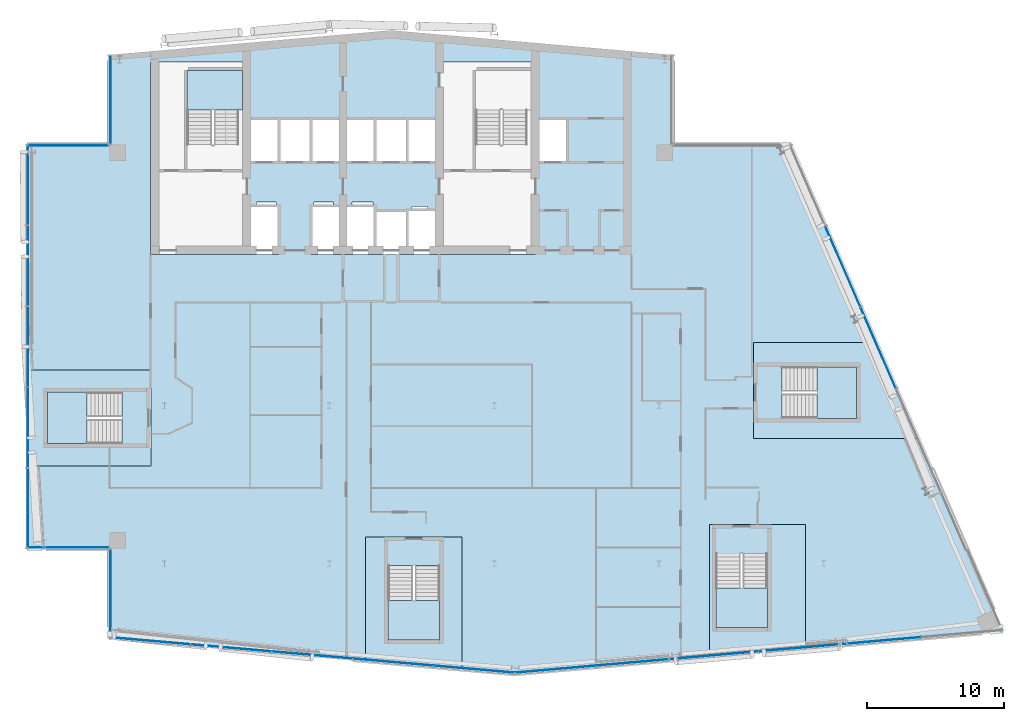
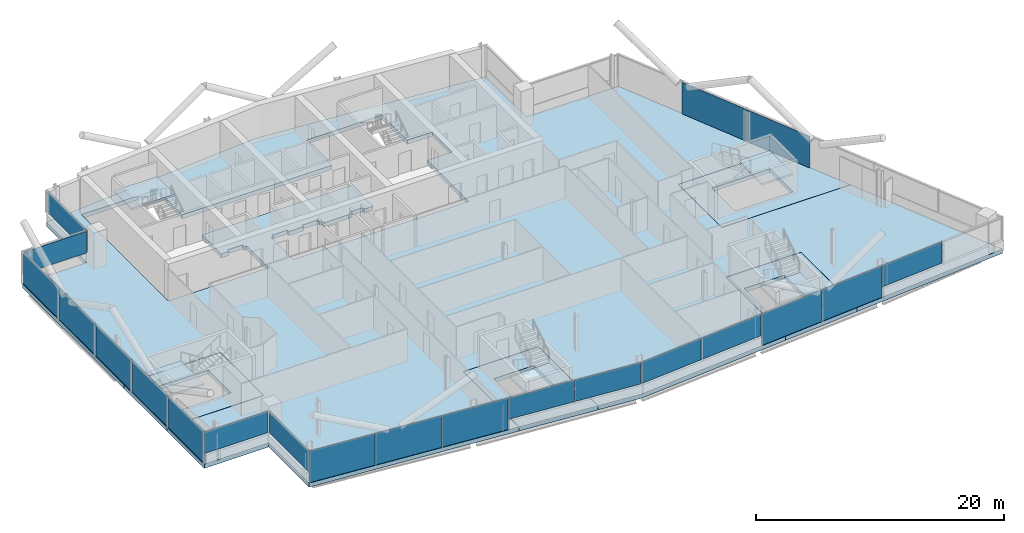
# One storey, part 13 of 27: 21 plates, 10 slabs, 13 elements without a shape of their own.
"""IFC4 building model written with IfcOpenShell, lengths in metres."""

from ifc_helpers import new_model, si_unit, direction, frame, origin, origin_2d, place, context, subcontext, project, spatial, polyline, rectangle, outline, extrude, material, layer, layer_set, type_object, element, aggregate, save


model = new_model("IFC4")

# Units and contexts
model_context = context("Model", 3, precision=1e-05, world=origin(), true_north=direction((0.0, 1.0)))
body_context = subcontext(model_context, "Body", "Model", "MODEL_VIEW")
ifc_project = project(units=[si_unit("LENGTHUNIT", "METRE"), si_unit("AREAUNIT", "SQUARE_METRE"), si_unit("VOLUMEUNIT", "CUBIC_METRE"), si_unit("PLANEANGLEUNIT", "RADIAN"), si_unit("MASSUNIT", "GRAM", prefix="KILO")], contexts=[model_context])

# Site, building, storey
site_placement = place(None, origin())
site = spatial("IfcSite", under=ifc_project, at=site_placement, CompositionType="ELEMENT")
building_placement = place(site_placement, origin())
building = spatial("IfcBuilding", under=site, at=building_placement, Name="Wharfspan Tower", CompositionType="ELEMENT")
storey_placement = place(building_placement, frame((0.0, 0.0, 221.5)))
storey = spatial("IfcBuildingStorey", under=building, at=storey_placement, Name="L55", CompositionType="ELEMENT", Elevation=221.5)

# Curtain wall, plates
ifc_material_1 = material(Name="Aluminium 6063-T6", Category="aluminium")
curtain_wall_type_1 = type_object("IfcCurtainWallType", Name="CURTAIN WALL FACETED FRONT", PredefinedType="NOTDEFINED", material=ifc_material_1)
curtain_wall_1_placement = place(storey_placement, origin())
curtain_wall_1 = element("IfcCurtainWall", 1, at=curtain_wall_1_placement, inside=storey, type_object=curtain_wall_type_1, Name="Curtain wall S1", PredefinedType="NOTDEFINED")
ifc_material_2 = material(Name="Glass clear low-iron double glazing", Category="glass")
ifc_layer_1 = layer(ifc_material_2, 0.040039)
ifc_layer_set_1 = layer_set([ifc_layer_1], Name="Glass clear low-iron double glazing")
plate_type_1 = type_object("IfcPlateType", Name="GLASS PANEL FACETED FRONT 40", PredefinedType="CURTAIN_PANEL", material=ifc_layer_set_1)
plate_1_placement = place(storey_placement, frame((40.655273, 4.328125, 1.0), z_axis=(0.0, 0.0, 1.0), x_axis=(0.996197, -0.087156, 0.0)))
plate_1 = element("IfcPlate", 2, at=plate_1_placement, type_object=plate_type_1, Name="Curtain wall S1 panel 4", PredefinedType="CURTAIN_PANEL", context=body_context, shape_type="SweptSolid", body=[
    extrude(rectangle(XDim=5.862549, YDim=0.040039, at=origin_2d()), origin(), (0.0, 0.0, 1.0), 2.120117),
])
plate_2_placement = place(storey_placement, frame((46.540283, 3.813232, 1.0), z_axis=(0.0, 0.0, 1.0), x_axis=(0.996197, -0.087156, 0.0)))
plate_2 = element("IfcPlate", 3, at=plate_2_placement, type_object=plate_type_1, Name="Curtain wall S1 panel 5", PredefinedType="CURTAIN_PANEL", context=body_context, shape_type="SweptSolid", body=[
    extrude(rectangle(XDim=5.83252, YDim=0.040039, at=origin_2d()), origin(), (0.0, 0.0, 1.0), 2.120117),
])

curtain_wall_2_placement = place(storey_placement, origin())
curtain_wall_2 = element("IfcCurtainWall", 4, at=curtain_wall_2_placement, inside=storey, type_object=curtain_wall_type_1, Name="Curtain wall S2", PredefinedType="NOTDEFINED")
plate_3_placement = place(storey_placement, frame((52.468018, 3.813965, 1.0), z_axis=(0.0, 0.0, 1.0), x_axis=(0.996197, 0.087156, 0.0)))
plate_3 = element("IfcPlate", 5, at=plate_3_placement, type_object=plate_type_1, Name="Curtain wall S2 panel 1", PredefinedType="CURTAIN_PANEL", context=body_context, shape_type="SweptSolid", body=[
    extrude(rectangle(XDim=5.849365, YDim=0.040039, at=origin_2d()), origin(), (0.0, 0.0, 1.0), 2.120117),
])
plate_4_placement = place(storey_placement, frame((58.369873, 4.330322, 1.0), z_axis=(0.0, 0.0, 1.0), x_axis=(0.996197, 0.087156, 0.0)))
plate_4 = element("IfcPlate", 6, at=plate_4_placement, type_object=plate_type_1, Name="Curtain wall S2 panel 2", PredefinedType="CURTAIN_PANEL", context=body_context, shape_type="SweptSolid", body=[
    extrude(rectangle(XDim=5.87915, YDim=0.040039, at=origin_2d()), origin(), (0.0, 0.0, 1.0), 2.120117),
])
plate_5_placement = place(storey_placement, frame((76.119873, 5.883301, 1.0), z_axis=(0.0, 0.0, 1.0), x_axis=(0.996197, 0.087156, 0.0)))
plate_5 = element("IfcPlate", 7, at=plate_5_placement, type_object=plate_type_1, Name="Curtain wall S2 panel 5", PredefinedType="CURTAIN_PANEL", context=body_context, shape_type="SweptSolid", body=[
    extrude(rectangle(XDim=5.87915, YDim=0.040039, at=origin_2d()), origin(), (0.0, 0.0, 1.0), 2.120117),
])

# Curtain wall, plate
curtain_wall_type_2 = type_object("IfcCurtainWallType", Name="CURTAIN WALL PROW AND END", PredefinedType="NOTDEFINED", material=ifc_material_1)
curtain_wall_3_placement = place(storey_placement, origin())
curtain_wall_3 = element("IfcCurtainWall", 8, at=curtain_wall_3_placement, inside=storey, type_object=curtain_wall_type_2, Name="Curtain wall NRW-V", PredefinedType="NOTDEFINED")
ifc_layer_2 = layer(ifc_material_2, 0.040039)
ifc_layer_set_2 = layer_set([ifc_layer_2], Name="Glass clear low-iron double glazing")
plate_type_2 = type_object("IfcPlateType", Name="GLASS PANEL PROW AND END 40", PredefinedType="CURTAIN_PANEL", material=ifc_layer_set_2)
plate_6_placement = place(storey_placement, frame((20.080078, 45.262451, 1.0), z_axis=(0.0, 0.0, 1.0), x_axis=(0.0, -1.0, 0.0)))
plate_6 = element("IfcPlate", 9, at=plate_6_placement, type_object=plate_type_2, Name="Curtain wall NRW-V panel 1", PredefinedType="CURTAIN_PANEL", context=body_context, shape_type="SweptSolid", body=[
    extrude(rectangle(XDim=6.405029, YDim=0.040039, at=origin_2d()), origin(), (0.0, 0.0, 1.0), 2.120117),
])
aggregate(curtain_wall_3, [plate_6])

curtain_wall_4_placement = place(storey_placement, origin())
curtain_wall_4 = element("IfcCurtainWall", 10, at=curtain_wall_4_placement, inside=storey, type_object=curtain_wall_type_2, Name="Curtain wall NRW-H", PredefinedType="NOTDEFINED")
plate_7_placement = place(storey_placement, frame((17.0, 41.919922, 1.0), z_axis=(0.0, 0.0, 1.0), x_axis=(-1.0, 0.0, 0.0)))
plate_7 = element("IfcPlate", 11, at=plate_7_placement, type_object=plate_type_2, Name="Curtain wall NRW-H panel 1", PredefinedType="CURTAIN_PANEL", context=body_context, shape_type="SweptSolid", body=[
    extrude(rectangle(XDim=5.879883, YDim=0.040039, at=origin_2d()), origin(), (0.0, 0.0, 1.0), 2.120117),
])
aggregate(curtain_wall_4, [plate_7])

curtain_wall_5_placement = place(storey_placement, origin())
curtain_wall_5 = element("IfcCurtainWall", 12, at=curtain_wall_5_placement, inside=storey, type_object=curtain_wall_type_2, Name="Curtain wall NFW-H", PredefinedType="NOTDEFINED")
plate_8_placement = place(storey_placement, frame((17.0, 12.679932, 1.0), z_axis=(0.0, 0.0, 1.0), x_axis=(1.0, 0.0, 0.0)))
plate_8 = element("IfcPlate", 13, at=plate_8_placement, type_object=plate_type_2, Name="Curtain wall NFW-H panel 1", PredefinedType="CURTAIN_PANEL", context=body_context, shape_type="SweptSolid", body=[
    extrude(rectangle(XDim=5.879883, YDim=0.040039, at=origin_2d()), origin(), (0.0, 0.0, 1.0), 2.120117),
])
aggregate(curtain_wall_5, [plate_8])

curtain_wall_6_placement = place(storey_placement, origin())
curtain_wall_6 = element("IfcCurtainWall", 14, at=curtain_wall_6_placement, inside=storey, type_object=curtain_wall_type_2, Name="Curtain wall NFW-V", PredefinedType="NOTDEFINED")
plate_9_placement = place(storey_placement, frame((20.080078, 9.337646, 1.0), z_axis=(0.0, 0.0, 1.0), x_axis=(0.0, -1.0, 0.0)))
plate_9 = element("IfcPlate", 15, at=plate_9_placement, type_object=plate_type_2, Name="Curtain wall NFW-V panel 1", PredefinedType="CURTAIN_PANEL", context=body_context, shape_type="SweptSolid", body=[
    extrude(rectangle(XDim=6.405029, YDim=0.040039, at=origin_2d()), origin(), (0.0, 0.0, 1.0), 2.120117),
])
aggregate(curtain_wall_6, [plate_9])

# Plate
ifc_material_3 = material(Name="Aluminium composite opaque insulated panel", Category="aluminium")
ifc_layer_3 = layer(ifc_material_3, 0.040039)
ifc_layer_set_3 = layer_set([ifc_layer_3], Name="Aluminium composite opaque insulated panel")
plate_type_3 = type_object("IfcPlateType", Name="INFILL PANEL FACETED FRONT OPAQUE 40", PredefinedType="SHEET", material=ifc_layer_set_3)
plate_10_placement = place(storey_placement, frame((22.970215, 5.875488, 0.0), z_axis=(0.0, 0.0, 1.0), x_axis=(0.996197, -0.087156, 0.0)))
plate_10 = element("IfcPlate", 16, at=plate_10_placement, type_object=plate_type_3, Name="Curtain wall S1 panel 1", PredefinedType="SHEET", context=body_context, shape_type="SweptSolid", body=[
    extrude(rectangle(XDim=5.83252, YDim=0.040039, at=origin_2d()), origin(), (0.0, 0.0, 1.0), 3.120117),
])

plate_11_placement = place(storey_placement, frame((28.855225, 5.360596, 0.0), z_axis=(0.0, 0.0, 1.0), x_axis=(0.996197, -0.087156, 0.0)))
plate_11 = element("IfcPlate", 17, at=plate_11_placement, type_object=plate_type_3, Name="Curtain wall S1 panel 2", PredefinedType="SHEET", context=body_context, shape_type="SweptSolid", body=[
    extrude(rectangle(XDim=5.862549, YDim=0.040039, at=origin_2d()), origin(), (0.0, 0.0, 1.0), 3.120117),
])

plate_12_placement = place(storey_placement, frame((34.755127, 4.844482, 0.0), z_axis=(0.0, 0.0, 1.0), x_axis=(0.996197, -0.087156, 0.0)))
plate_12 = element("IfcPlate", 18, at=plate_12_placement, type_object=plate_type_3, Name="Curtain wall S1 panel 3", PredefinedType="SHEET", context=body_context, shape_type="SweptSolid", body=[
    extrude(rectangle(XDim=5.862549, YDim=0.040039, at=origin_2d()), origin(), (0.0, 0.0, 1.0), 3.120117),
])

aggregate(curtain_wall_1, [plate_10, plate_11, plate_12, plate_1, plate_2])

plate_13_placement = place(storey_placement, frame((64.286377, 4.848145, 0.0), z_axis=(0.0, 0.0, 1.0), x_axis=(0.996197, 0.087156, 0.0)))
plate_13 = element("IfcPlate", 19, at=plate_13_placement, type_object=plate_type_3, Name="Curtain wall S2 panel 3", PredefinedType="SHEET", context=body_context, shape_type="SweptSolid", body=[
    extrude(rectangle(XDim=5.87915, YDim=0.040039, at=origin_2d()), origin(), (0.0, 0.0, 1.0), 3.120117),
])

plate_14_placement = place(storey_placement, frame((70.203125, 5.365723, 0.0), z_axis=(0.0, 0.0, 1.0), x_axis=(0.996197, 0.087156, 0.0)))
plate_14 = element("IfcPlate", 20, at=plate_14_placement, type_object=plate_type_3, Name="Curtain wall S2 panel 4", PredefinedType="SHEET", context=body_context, shape_type="SweptSolid", body=[
    extrude(rectangle(XDim=5.87915, YDim=0.040039, at=origin_2d()), origin(), (0.0, 0.0, 1.0), 3.120117),
])

aggregate(curtain_wall_2, [plate_3, plate_4, plate_13, plate_14, plate_5])

# Curtain wall, plates
curtain_wall_7_placement = place(storey_placement, origin())
curtain_wall_7 = element("IfcCurtainWall", 21, at=curtain_wall_7_placement, inside=storey, type_object=curtain_wall_type_2, Name="Curtain wall E", PredefinedType="NOTDEFINED")
ifc_layer_4 = layer(ifc_material_3, 0.040039)
ifc_layer_set_4 = layer_set([ifc_layer_4], Name="Aluminium composite opaque insulated panel")
plate_type_4 = type_object("IfcPlateType", Name="INFILL PANEL PROW AND END OPAQUE 40", PredefinedType="SHEET", material=ifc_layer_set_4)
plate_15_placement = place(storey_placement, frame((75.948486, 27.218018, 0.0), z_axis=(0.0, 0.0, 1.0), x_axis=(-0.398727, 0.917072, 0.0)))
plate_15 = element("IfcPlate", 22, at=plate_15_placement, type_object=plate_type_4, Name="Curtain wall E panel 4", PredefinedType="SHEET", context=body_context, shape_type="SweptSolid", body=[
    extrude(rectangle(XDim=6.373535, YDim=0.040039, at=origin_2d()), origin(), (0.0, 0.0, 1.0), 3.120117),
])
plate_16_placement = place(storey_placement, frame((73.383057, 33.118164, 0.0), z_axis=(0.0, 0.0, 1.0), x_axis=(-0.398727, 0.917072, 0.0)))
plate_16 = element("IfcPlate", 23, at=plate_16_placement, type_object=plate_type_4, Name="Curtain wall E panel 5", PredefinedType="SHEET", context=body_context, shape_type="SweptSolid", body=[
    extrude(rectangle(XDim=6.373535, YDim=0.040039, at=origin_2d()), origin(), (0.0, 0.0, 1.0), 3.120117),
])
aggregate(curtain_wall_7, [plate_15, plate_16])

curtain_wall_8_placement = place(storey_placement, origin())
curtain_wall_8 = element("IfcCurtainWall", 24, at=curtain_wall_8_placement, inside=storey, type_object=curtain_wall_type_2, Name="Curtain wall W", PredefinedType="NOTDEFINED")
plate_17_placement = place(storey_placement, frame((14.080078, 39.044922, 0.0), z_axis=(0.0, 0.0, 1.0), x_axis=(0.0, -1.0, 0.0)))
plate_17 = element("IfcPlate", 25, at=plate_17_placement, type_object=plate_type_4, Name="Curtain wall W panel 1", PredefinedType="SHEET", context=body_context, shape_type="SweptSolid", body=[
    extrude(rectangle(XDim=5.790039, YDim=0.040039, at=origin_2d()), origin(), (0.0, 0.0, 1.0), 3.120117),
])
plate_18_placement = place(storey_placement, frame((14.080078, 33.179932, 0.0), z_axis=(0.0, 0.0, 1.0), x_axis=(0.0, -1.0, 0.0)))
plate_18 = element("IfcPlate", 26, at=plate_18_placement, type_object=plate_type_4, Name="Curtain wall W panel 2", PredefinedType="SHEET", context=body_context, shape_type="SweptSolid", body=[
    extrude(rectangle(XDim=5.820068, YDim=0.040039, at=origin_2d()), origin(), (0.0, 0.0, 1.0), 3.120117),
])
plate_19_placement = place(storey_placement, frame((14.080078, 27.300049, 0.0), z_axis=(0.0, 0.0, 1.0), x_axis=(0.0, -1.0, 0.0)))
plate_19 = element("IfcPlate", 27, at=plate_19_placement, type_object=plate_type_4, Name="Curtain wall W panel 3", PredefinedType="SHEET", context=body_context, shape_type="SweptSolid", body=[
    extrude(rectangle(XDim=5.820068, YDim=0.040039, at=origin_2d()), origin(), (0.0, 0.0, 1.0), 3.120117),
])
plate_20_placement = place(storey_placement, frame((14.080078, 21.419922, 0.0), z_axis=(0.0, 0.0, 1.0), x_axis=(0.0, -1.0, 0.0)))
plate_20 = element("IfcPlate", 28, at=plate_20_placement, type_object=plate_type_4, Name="Curtain wall W panel 4", PredefinedType="SHEET", context=body_context, shape_type="SweptSolid", body=[
    extrude(rectangle(XDim=5.820068, YDim=0.040039, at=origin_2d()), origin(), (0.0, 0.0, 1.0), 3.120117),
])
plate_21_placement = place(storey_placement, frame((14.080078, 15.554932, 0.0), z_axis=(0.0, 0.0, 1.0), x_axis=(0.0, -1.0, 0.0)))
plate_21 = element("IfcPlate", 29, at=plate_21_placement, type_object=plate_type_4, Name="Curtain wall W panel 5", PredefinedType="SHEET", context=body_context, shape_type="SweptSolid", body=[
    extrude(rectangle(XDim=5.790039, YDim=0.040039, at=origin_2d()), origin(), (0.0, 0.0, 1.0), 3.120117),
])
aggregate(curtain_wall_8, [plate_17, plate_18, plate_19, plate_20, plate_21])

# Slabs
ifc_material_4 = material(Name="Concrete C40/50", Category="concrete")
ifc_layer_5 = layer(ifc_material_4, 0.399902)
ifc_layer_set_5 = layer_set([ifc_layer_5], Name="Concrete C40/50")
slab_type_1 = type_object("IfcSlabType", Name="Post-tensioned flat slab 400", PredefinedType="FLOOR", material=ifc_layer_set_5)
slab_1_placement = place(storey_placement, frame((0.0, 0.0, -0.400146)))
element("IfcSlab", 30, at=slab_1_placement, inside=storey, type_object=slab_type_1, Name="Floor slab L55", PredefinedType="FLOOR", context=body_context, shape_type="SweptSolid", body=[
    extrude(outline(polyline([(38.64209, 4.444092), (38.64209, 13.453125), (45.662109, 13.453125), (45.662109, 3.829834), (49.5, 3.494141), (63.658691, 4.73291), (63.658691, 14.356201), (70.678711, 14.356201), (70.678711, 5.347168), (85.0, 6.600098), (78.91748, 20.590088), (66.859619, 20.590088), (66.859619, 27.610107), (75.865234, 27.610107), (69.608643, 42.0), (61.0, 42.0), (61.0, 48.524902), (40.5, 50.318359), (20.0, 48.524902), (20.0, 42.0), (14.0, 42.0), (14.0, 25.610107), (23.01001, 25.610107), (23.01001, 18.590088), (14.0, 18.590088), (14.0, 12.600098), (20.0, 12.600098), (20.0, 6.075195), (38.64209, 4.444092)]), holes=[polyline([(32.126709, 37.560059), (32.343262, 37.560059), (32.343262, 33.98999), (22.98999, 33.98999), (22.98999, 48.01001), (30.01001, 48.01001), (30.01001, 43.909912), (43.98999, 43.909912), (43.98999, 48.01001), (51.01001, 48.01001), (51.01001, 43.909912), (53.343262, 43.909912), (53.343262, 40.689941), (51.01001, 40.689941), (51.01001, 33.98999), (34.656738, 33.98999), (34.656738, 37.560059), (34.873291, 37.560059), (34.873291, 37.810059), (36.293213, 37.810059), (36.293213, 37.560059), (37.666748, 37.560059), (37.666748, 37.810059), (39.166748, 37.810059), (39.166748, 37.560059), (39.343262, 37.560059), (39.343262, 37.209961), (41.656738, 37.209961), (41.656738, 37.26001), (42.023193, 37.26001), (42.023193, 37.51001), (43.143311, 37.51001), (43.143311, 37.26001), (43.98999, 37.26001), (43.98999, 40.689941), (30.01001, 40.689941), (30.01001, 37.560059), (30.706787, 37.560059), (30.706787, 37.810059), (32.126709, 37.810059), (32.126709, 37.560059)])]), origin(), (0.0, 0.0, 1.0), 0.400146),
])
slab_2_placement = place(storey_placement, frame((0.0, 0.0, -0.400146)))
element("IfcSlab", 31, at=slab_2_placement, inside=storey, type_object=slab_type_1, Name="Core floor slab L55 part 1", PredefinedType="FLOOR", context=body_context, shape_type="SweptSolid", body=[
    extrude(outline(polyline([(23.0, 19.925049), (23.0, 24.274902), (23.0, 25.600098), (14.0, 25.600098), (14.0, 18.600098), (23.0, 18.600098), (23.0, 19.925049)]), holes=[polyline([(20.899902, 23.977051), (20.900146, 23.977051), (20.900391, 23.977051), (20.900635, 23.976807), (20.900879, 23.976807), (20.900879, 23.976807), (20.901123, 23.976807), (20.901367, 23.976562), (20.901367, 23.976318), (20.901611, 23.976318), (20.901611, 23.976074), (20.901855, 23.97583), (20.901855, 23.97583), (20.901855, 23.975586), (20.9021, 23.975342), (20.9021, 23.975098), (20.9021, 23.975098), (20.9021, 20.225098), (20.9021, 20.224854), (20.9021, 20.224609), (20.901855, 20.224365), (20.901855, 20.224121), (20.901855, 20.224121), (20.901611, 20.223877), (20.901611, 20.223633), (20.901367, 20.223633), (20.901367, 20.223389), (20.901123, 20.223389), (20.900879, 20.223145), (20.900879, 20.223145), (20.900635, 20.223145), (20.900391, 20.2229), (20.900146, 20.2229), (20.899902, 20.2229), (15.5, 20.2229), (15.499756, 20.2229), (15.499512, 20.2229), (15.499512, 20.223145), (15.499268, 20.223145), (15.499023, 20.223145), (15.498779, 20.223389), (15.498779, 20.223389), (15.498535, 20.223633), (15.498535, 20.223633), (15.498291, 20.223877), (15.498291, 20.224121), (15.498291, 20.224121), (15.498047, 20.224365), (15.498047, 20.224609), (15.498047, 20.224854), (15.498047, 20.225098), (15.498047, 23.975098), (15.498047, 23.975098), (15.498047, 23.975342), (15.498047, 23.975586), (15.498291, 23.97583), (15.498291, 23.97583), (15.498291, 23.976074), (15.498535, 23.976318), (15.498535, 23.976318), (15.498779, 23.976562), (15.498779, 23.976807), (15.499023, 23.976807), (15.499268, 23.976807), (15.499512, 23.976807), (15.499512, 23.977051), (15.499756, 23.977051), (15.5, 23.977051), (20.899902, 23.977051)])]), origin(), (0.0, 0.0, 1.0), 0.400146),
])
slab_3_placement = place(storey_placement, frame((0.0, 0.0, -0.400146)))
element("IfcSlab", 32, at=slab_3_placement, inside=storey, type_object=slab_type_1, Name="Core floor slab L55 part 3", PredefinedType="FLOOR", context=body_context, shape_type="SweptSolid", body=[
    extrude(outline(polyline([(44.327148, 13.443115), (39.977051, 13.443115), (38.6521, 13.443115), (38.6521, 4.443115), (45.6521, 3.830811), (45.6521, 13.443115), (44.327148, 13.443115)]), holes=[polyline([(40.275146, 11.343262), (40.275146, 11.343506), (40.275146, 11.343506), (40.275146, 11.34375), (40.275391, 11.343994), (40.275391, 11.344238), (40.275391, 11.344238), (40.275635, 11.344482), (40.275635, 11.344482), (40.275879, 11.344727), (40.275879, 11.344971), (40.276123, 11.344971), (40.276367, 11.345215), (40.276611, 11.345215), (40.276611, 11.345215), (40.276855, 11.345215), (40.2771, 11.345215), (44.0271, 11.345215), (44.027344, 11.345215), (44.027588, 11.345215), (44.027588, 11.345215), (44.027832, 11.345215), (44.028076, 11.344971), (44.02832, 11.344971), (44.02832, 11.344727), (44.028564, 11.344482), (44.028809, 11.344482), (44.028809, 11.344238), (44.028809, 11.344238), (44.029053, 11.343994), (44.029053, 11.34375), (44.029053, 11.343506), (44.029053, 11.343506), (44.029053, 11.343262), (44.029053, 5.943115), (44.029053, 5.943115), (44.029053, 5.942871), (44.029053, 5.942627), (44.029053, 5.942383), (44.028809, 5.942383), (44.028809, 5.942139), (44.028809, 5.941895), (44.028564, 5.941895), (44.02832, 5.94165), (44.02832, 5.94165), (44.028076, 5.941406), (44.027832, 5.941406), (44.027588, 5.941406), (44.027588, 5.941406), (44.027344, 5.941162), (44.0271, 5.941162), (40.2771, 5.941162), (40.276855, 5.941162), (40.276611, 5.941406), (40.276611, 5.941406), (40.276367, 5.941406), (40.276123, 5.941406), (40.275879, 5.94165), (40.275879, 5.94165), (40.275635, 5.941895), (40.275635, 5.941895), (40.275391, 5.942139), (40.275391, 5.942383), (40.275391, 5.942383), (40.275146, 5.942627), (40.275146, 5.942871), (40.275146, 5.943115), (40.275146, 5.943115), (40.275146, 11.343262)])]), origin(), (0.0, 0.0, 1.0), 0.400146),
])
slab_4_placement = place(storey_placement, frame((0.0, 0.0, -0.400146)))
element("IfcSlab", 33, at=slab_4_placement, inside=storey, type_object=slab_type_1, Name="Core floor slab L55 part 4", PredefinedType="FLOOR", context=body_context, shape_type="SweptSolid", body=[
    extrude(outline(polyline([(70.668701, 14.346191), (68.193848, 14.346191), (63.84375, 14.346191), (63.668701, 14.346191), (63.668701, 4.733887), (70.668701, 5.346191), (70.668701, 14.346191)]), holes=[polyline([(64.141846, 12.246094), (64.141846, 12.246338), (64.141846, 12.246582), (64.141846, 12.246826), (64.14209, 12.246826), (64.14209, 12.24707), (64.14209, 12.247314), (64.142334, 12.247559), (64.142334, 12.247559), (64.142578, 12.247803), (64.142578, 12.247803), (64.142822, 12.247803), (64.143066, 12.248047), (64.143311, 12.248047), (64.143311, 12.248047), (64.143555, 12.248291), (64.143799, 12.248291), (67.893799, 12.248291), (67.894043, 12.248291), (67.894287, 12.248047), (67.894287, 12.248047), (67.894531, 12.248047), (67.894775, 12.247803), (67.89502, 12.247803), (67.89502, 12.247803), (67.895264, 12.247559), (67.895508, 12.247559), (67.895508, 12.247314), (67.895508, 12.24707), (67.895752, 12.246826), (67.895752, 12.246826), (67.895752, 12.246582), (67.895752, 12.246338), (67.895752, 12.246094), (67.895752, 6.846191), (67.895752, 6.845947), (67.895752, 6.845703), (67.895752, 6.845703), (67.895752, 6.845459), (67.895508, 6.845215), (67.895508, 6.845215), (67.895508, 6.844971), (67.895264, 6.844727), (67.89502, 6.844482), (67.89502, 6.844482), (67.894775, 6.844482), (67.894531, 6.844238), (67.894287, 6.844238), (67.894287, 6.844238), (67.894043, 6.844238), (67.893799, 6.844238), (64.143799, 6.844238), (64.143555, 6.844238), (64.143311, 6.844238), (64.143311, 6.844238), (64.143066, 6.844238), (64.142822, 6.844482), (64.142578, 6.844482), (64.142578, 6.844482), (64.142334, 6.844727), (64.142334, 6.844971), (64.14209, 6.845215), (64.14209, 6.845215), (64.14209, 6.845459), (64.141846, 6.845703), (64.141846, 6.845703), (64.141846, 6.845947), (64.141846, 6.846191), (64.141846, 12.246094)])]), origin(), (0.0, 0.0, 1.0), 0.400146),
])
slab_5_placement = place(storey_placement, frame((0.0, 0.0, -0.400146)))
element("IfcSlab", 34, at=slab_5_placement, inside=storey, type_object=slab_type_1, Name="Core floor slab L55 part 5", PredefinedType="FLOOR", context=body_context, shape_type="SweptSolid", body=[
    extrude(outline(polyline([(75.869629, 27.600098), (66.869629, 27.600098), (66.869629, 26.125), (66.869629, 21.774902), (66.869629, 20.600098), (78.913086, 20.600098), (75.869629, 27.600098)]), holes=[polyline([(68.967529, 25.824951), (68.967529, 25.825195), (68.967529, 25.825439), (68.967773, 25.825684), (68.967773, 25.825684), (68.967773, 25.825928), (68.968018, 25.826172), (68.968018, 25.826416), (68.968262, 25.826416), (68.968262, 25.826416), (68.968506, 25.82666), (68.968506, 25.826904), (68.96875, 25.826904), (68.968994, 25.826904), (68.969238, 25.826904), (68.969482, 25.826904), (68.969482, 25.826904), (74.369629, 25.826904), (74.369873, 25.826904), (74.370117, 25.826904), (74.370117, 25.826904), (74.370361, 25.826904), (74.370605, 25.826904), (74.370605, 25.82666), (74.37085, 25.826416), (74.371094, 25.826416), (74.371094, 25.826416), (74.371094, 25.826172), (74.371338, 25.825928), (74.371338, 25.825684), (74.371582, 25.825684), (74.371582, 25.825439), (74.371582, 25.825195), (74.371582, 25.824951), (74.371582, 22.074951), (74.371582, 22.074707), (74.371582, 22.074707), (74.371582, 22.074463), (74.371338, 22.074219), (74.371338, 22.074219), (74.371094, 22.073975), (74.371094, 22.07373), (74.371094, 22.073486), (74.37085, 22.073486), (74.370605, 22.073242), (74.370605, 22.073242), (74.370361, 22.073242), (74.370117, 22.072998), (74.370117, 22.072998), (74.369873, 22.072998), (74.369629, 22.072998), (68.969482, 22.072998), (68.969482, 22.072998), (68.969238, 22.072998), (68.968994, 22.072998), (68.96875, 22.073242), (68.968506, 22.073242), (68.968506, 22.073242), (68.968262, 22.073486), (68.968262, 22.073486), (68.968018, 22.07373), (68.968018, 22.073975), (68.967773, 22.074219), (68.967773, 22.074219), (68.967773, 22.074463), (68.967529, 22.074707), (68.967529, 22.074707), (68.967529, 22.074951), (68.967529, 25.824951)])]), origin(), (0.0, 0.0, 1.0), 0.400146),
])

# Stair, slab
stair_type = type_object("IfcStairType", Name="Half-turn stair 20 risers 180 mm", PredefinedType="HALF_TURN_STAIR", material=ifc_material_4)
stair_1_placement = place(storey_placement, origin())
stair_1 = element("IfcStair", 35, at=stair_1_placement, inside=storey, type_object=stair_type, Name="L55 stair ST1", PredefinedType="HALF_TURN_STAIR")
ifc_layer_6 = layer(ifc_material_4, 0.199951)
ifc_layer_set_6 = layer_set([ifc_layer_6], Name="Concrete C40/50")
slab_type_2 = type_object("IfcSlabType", Name="Stair landing 200", PredefinedType="LANDING", material=ifc_layer_set_6)
slab_6_placement = place(storey_placement, frame((0.0, 0.0, 1.599854)))
slab_6 = element("IfcSlab", 36, at=slab_6_placement, type_object=slab_type_2, Name="ST1 landing 1", PredefinedType="LANDING", context=body_context, shape_type="SweptSolid", body=[
    extrude(outline(polyline([(25.649902, 44.52002), (29.699951, 44.52002), (29.699951, 47.399902), (25.649902, 47.399902), (25.649902, 44.52002)])), origin(), (0.0, 0.0, 1.0), 0.200195),
])
aggregate(stair_1, [slab_6])

stair_2_placement = place(storey_placement, origin())
stair_2 = element("IfcStair", 37, at=stair_2_placement, inside=storey, type_object=stair_type, Name="L55 stair ST3", PredefinedType="HALF_TURN_STAIR")
slab_7_placement = place(storey_placement, frame((0.0, 0.0, 1.599854)))
slab_7 = element("IfcSlab", 38, at=slab_7_placement, type_object=slab_type_2, Name="ST3 landing 1", PredefinedType="LANDING", context=body_context, shape_type="SweptSolid", body=[
    extrude(outline(polyline([(18.379883, 23.975098), (15.5, 23.975098), (15.5, 20.225098), (18.379883, 20.225098), (18.379883, 23.975098)])), origin(), (0.0, 0.0, 1.0), 0.200195),
])
aggregate(stair_2, [slab_7])

stair_3_placement = place(storey_placement, origin())
stair_3 = element("IfcStair", 39, at=stair_3_placement, inside=storey, type_object=stair_type, Name="L55 stair ST4", PredefinedType="HALF_TURN_STAIR")
slab_8_placement = place(storey_placement, frame((0.0, 0.0, 1.599854)))
slab_8 = element("IfcSlab", 40, at=slab_8_placement, type_object=slab_type_2, Name="ST4 landing 1", PredefinedType="LANDING", context=body_context, shape_type="SweptSolid", body=[
    extrude(outline(polyline([(40.2771, 8.823242), (40.2771, 5.943115), (44.0271, 5.943115), (44.0271, 8.823242), (40.2771, 8.823242)])), origin(), (0.0, 0.0, 1.0), 0.200195),
])
aggregate(stair_3, [slab_8])

stair_4_placement = place(storey_placement, origin())
stair_4 = element("IfcStair", 41, at=stair_4_placement, inside=storey, type_object=stair_type, Name="L55 stair ST5", PredefinedType="HALF_TURN_STAIR")
slab_9_placement = place(storey_placement, frame((0.0, 0.0, 1.599854)))
slab_9 = element("IfcSlab", 42, at=slab_9_placement, type_object=slab_type_2, Name="ST5 landing 1", PredefinedType="LANDING", context=body_context, shape_type="SweptSolid", body=[
    extrude(outline(polyline([(64.143799, 9.726074), (64.143799, 6.846191), (67.893799, 6.846191), (67.893799, 9.726074), (64.143799, 9.726074)])), origin(), (0.0, 0.0, 1.0), 0.200195),
])
aggregate(stair_4, [slab_9])

stair_5_placement = place(storey_placement, origin())
stair_5 = element("IfcStair", 43, at=stair_5_placement, inside=storey, type_object=stair_type, Name="L55 stair ST6", PredefinedType="HALF_TURN_STAIR")
slab_10_placement = place(storey_placement, frame((0.0, 0.0, 1.599854)))
slab_10 = element("IfcSlab", 44, at=slab_10_placement, type_object=slab_type_2, Name="ST6 landing 1", PredefinedType="LANDING", context=body_context, shape_type="SweptSolid", body=[
    extrude(outline(polyline([(71.489502, 22.074951), (74.369629, 22.074951), (74.369629, 25.824951), (71.489502, 25.824951), (71.489502, 22.074951)])), origin(), (0.0, 0.0, 1.0), 0.200195),
])
aggregate(stair_5, [slab_10])

save(model, "model.ifc")
